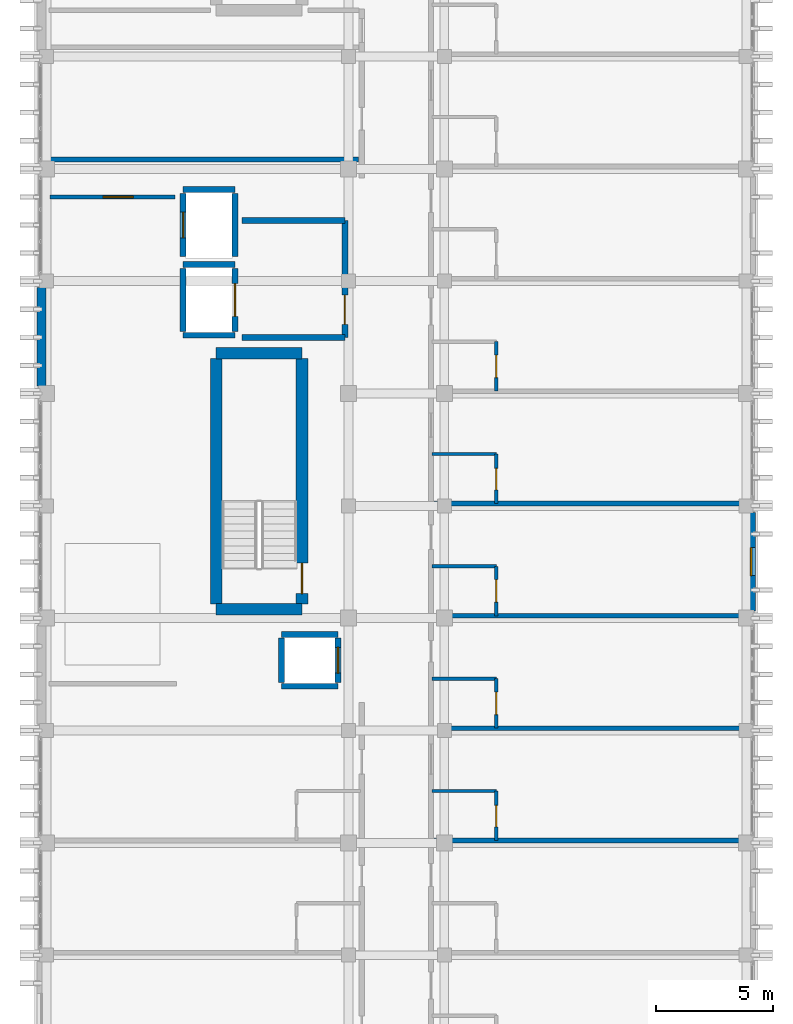
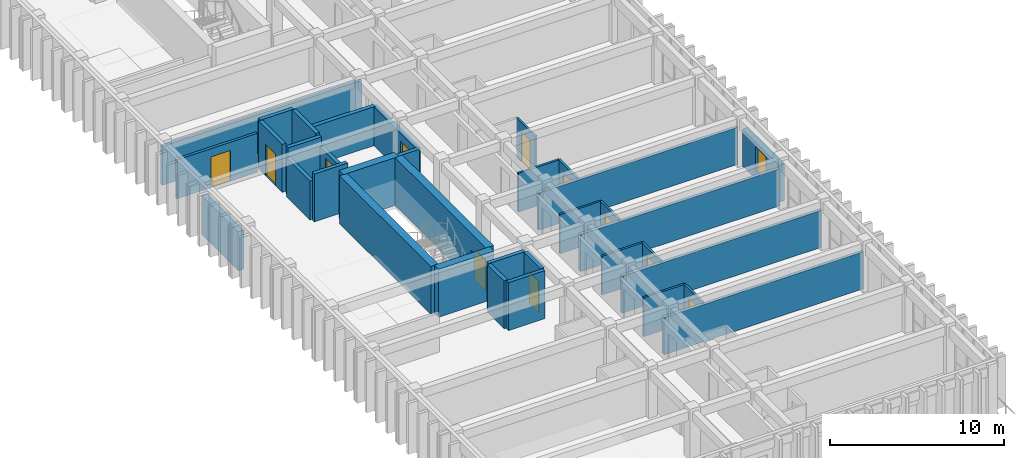
# One storey, part 44 of 53: 35 walls, 11 doors, 1 window, 12 openings.
"""IFC4 building model written with IfcOpenShell, lengths in metres."""

from ifc_helpers import new_model, si_unit, direction, frame, frame_2d, origin, place, context, subcontext, project, spatial, rectangle, extrude, material, layer, layer_set, type_object, element, fill, save


model = new_model("IFC4")

# Units and contexts
model_context = context("Model", 3, precision=1e-05, world=origin(), true_north=direction((0.0, 1.0)))
body_context = subcontext(model_context, "Body", "Model", "MODEL_VIEW")
ifc_project = project(units=[si_unit("LENGTHUNIT", "METRE"), si_unit("AREAUNIT", "SQUARE_METRE"), si_unit("VOLUMEUNIT", "CUBIC_METRE"), si_unit("PLANEANGLEUNIT", "RADIAN"), si_unit("MASSUNIT", "GRAM", prefix="KILO")], contexts=[model_context])

# Site, building, storey
site_placement = place(None, origin())
site = spatial("IfcSite", under=ifc_project, at=site_placement, CompositionType="ELEMENT")
building_placement = place(site_placement, origin())
building = spatial("IfcBuilding", under=site, at=building_placement, Name="Nakhvara Creek Congress Hotel", CompositionType="ELEMENT")
storey_placement = place(building_placement, frame((0.0, 0.0, 35.39990234375)))
storey = spatial("IfcBuildingStorey", under=building, at=storey_placement, Name="L08", CompositionType="ELEMENT", Elevation=35.39990234375)

# Walls
ifc_material_1 = material(Name="Concrete C50/60", Category="concrete")
ifc_layer_1 = layer(ifc_material_1, 0.5)
ifc_layer_set_1 = layer_set([ifc_layer_1], Name="Concrete C50/60")
wall_type_1 = type_object("IfcWallType", Name="W-CORE-500", PredefinedType="SHEAR", material=ifc_layer_set_1)
for number, where, z_axis, x_axis, name in (
    (1, (156.699951171875, 77.179931640625, 0.0), (0.0, 0.0, 1.0), (1.0, 0.0, 0.0), "Core Shear Wall WS01-CWALL-L08-0181"),
    (2, (156.699951171875, 88.1201171875, 0.0), (0.0, 0.0, 1.0), (1.0, 0.0, 0.0), "Core Shear Wall WS01-CWALL-L08-0182"),
):
    element("IfcWall", number, at=place(storey_placement, frame(where, z_axis=z_axis, x_axis=x_axis)), inside=storey, type_object=wall_type_1, Name=name, PredefinedType="SHEAR", context=body_context, shape_type="SweptSolid", body=[
        extrude(rectangle(XDim=3.670166015625, YDim=0.5, at=frame_2d((1.8349609375, 0.0))), origin(), (0.0, 0.0, 1.0), 3.360107421875),
    ])
wall_1_placement = place(storey_placement, frame((156.699951171875, 77.39990234375, 0.0), z_axis=(0.0, 0.0, 1.0), x_axis=(0.0, 1.0, 0.0)))
element("IfcWall", 3, at=wall_1_placement, inside=storey, type_object=wall_type_1, Name="Core Shear Wall WS01-CWALL-L08-0183", PredefinedType="SHEAR", context=body_context, shape_type="SweptSolid", body=[
    extrude(rectangle(XDim=10.5, YDim=0.5, at=frame_2d((5.25, 0.0))), origin(), (0.0, 0.0, 1.0), 3.360107421875),
])

# Wall, opening, door
wall_2_placement = place(storey_placement, frame((160.3701171875, 77.39990234375, 0.0), z_axis=(0.0, 0.0, 1.0), x_axis=(0.0, 1.0, 0.0)))
wall_2 = element("IfcWall", 4, at=wall_2_placement, inside=storey, type_object=wall_type_1, Name="Core Shear Wall WS01-CWALL-L08-0184", PredefinedType="SHEAR", context=body_context, shape_type="SweptSolid", body=[
    extrude(rectangle(XDim=10.5, YDim=0.5, at=frame_2d((5.25, 0.0))), origin(), (0.0, 0.0, 1.0), 3.360107421875),
])
opening_1_placement = place(wall_2_placement, frame((0.449951171875, 0.0, 0.0)))
opening_1 = element("IfcOpeningElement", 5, at=opening_1_placement, cuts=wall_2, Name="Opening FD04", PredefinedType="OPENING", context=body_context, shape_type="SweptSolid", body=[
    extrude(rectangle(XDim=1.300048828125, YDim=2.14990234375, at=frame_2d((0.64990234375, 1.074951171875))), frame((0.0, 0.261962890625, 0.0), z_axis=(0.0, -1.0, 0.0), x_axis=(1.0, 0.0, 0.0)), (0.0, 0.0, 1.0), 0.52392578125),
])
ifc_material_2 = material(Name="Powder-coated steel fire door", Category="steel")
door_type_1 = type_object("IfcDoorType", Name="DT-STAIR-130", OperationType="NOTDEFINED", PredefinedType="DOOR", material=ifc_material_2)
door_1_placement = place(opening_1_placement, frame((1.300048828125, 0.0, 0.0), z_axis=(0.0, 0.0, 1.0), x_axis=(-1.0, 0.0, 0.0)))
door_1 = element("IfcDoor", 6, at=door_1_placement, inside=storey, type_object=door_type_1, Name="Stair Exit Door ST01-L08", OperationType="SINGLE_SWING_LEFT", OverallHeight=2.14990234375, OverallWidth=1.300048828125, PredefinedType="DOOR", context=body_context, shape_type="SweptSolid", body=[
    extrude(rectangle(XDim=1.300048828125, YDim=2.14990234375, at=frame_2d((0.64990234375, 1.074951171875))), frame((0.0, 0.02490234375, 0.0), z_axis=(0.0, -1.0, 0.0), x_axis=(1.0, 0.0, 0.0)), (0.0, 0.0, 1.0), 0.050048828125),
])
fill(opening_1, door_1)

ifc_material_3 = material(Name="Moisture-resistant gypsum board partition")
ifc_layer_2 = layer(ifc_material_3, 0.139892578125)
ifc_layer_set_2 = layer_set([ifc_layer_2], Name="Moisture-resistant gypsum board partition")
wall_type_2 = type_object("IfcWallType", Name="W-ENS-140", PredefinedType="PARTITIONING", material=ifc_layer_set_2)
wall_3_placement = place(storey_placement, frame((168.669921875, 67.300048828125, 0.0), z_axis=(0.0, 0.0, 1.0), x_axis=(0.0, 1.0, 0.0)))
wall_3 = element("IfcWall", 7, at=wall_3_placement, inside=storey, type_object=wall_type_2, Name="Interior Wall WP15-IW-L08-0611", PredefinedType="PARTITIONING", context=body_context, shape_type="SweptSolid", body=[
    extrude(rectangle(XDim=2.115966796875, YDim=0.139892578125, at=frame_2d((1.05810546875, 0.0))), origin(), (0.0, 0.0, 1.0), 2.732177734375),
])
opening_2_placement = place(wall_3_placement, frame((0.5830078125, 0.0, 0.0)))
opening_2 = element("IfcOpeningElement", 8, at=opening_2_placement, cuts=wall_3, Name="Opening ID01", PredefinedType="OPENING", context=body_context, shape_type="SweptSolid", body=[
    extrude(rectangle(XDim=0.919921875, YDim=2.10009765625, at=frame_2d((0.4599609375, 1.050048828125))), frame((0.0, 0.08203125, 0.0), z_axis=(0.0, -1.0, 0.0), x_axis=(1.0, 0.0, 0.0)), (0.0, 0.0, 1.0), 0.163818359375),
])
ifc_material_4 = material(Name="Moisture-resistant walnut timber door", Category="wood")
door_type_2 = type_object("IfcDoorType", Name="DT-ENS-092", OperationType="NOTDEFINED", PredefinedType="DOOR", material=ifc_material_4)
door_2_placement = place(opening_2_placement, frame((0.919921875, 0.0, 0.0), z_axis=(0.0, 0.0, 1.0), x_axis=(-1.0, 0.0, 0.0)))
door_2 = element("IfcDoor", 9, at=door_2_placement, inside=storey, type_object=door_type_2, Name="Interior Door ID01-0453", OperationType="SINGLE_SWING_RIGHT", OverallHeight=2.10009765625, OverallWidth=0.919921875, PredefinedType="DOOR", context=body_context, shape_type="SweptSolid", body=[
    extrude(rectangle(XDim=0.919921875, YDim=2.10009765625, at=frame_2d((0.4599609375, 1.050048828125))), frame((0.0, 0.02490234375, 0.0), z_axis=(0.0, -1.0, 0.0), x_axis=(1.0, 0.0, 0.0)), (0.0, 0.0, 1.0), 0.050048828125),
])
fill(opening_2, door_2)

# Wall
wall_4_placement = place(storey_placement, frame((165.919921875, 69.416015625, 0.0), z_axis=(0.0, 0.0, 1.0), x_axis=(1.0, 0.0, 0.0)))
element("IfcWall", 10, at=wall_4_placement, inside=storey, type_object=wall_type_2, Name="Interior Wall WP15-IW-L08-0612", PredefinedType="PARTITIONING", context=body_context, shape_type="SweptSolid", body=[
    extrude(rectangle(XDim=2.75, YDim=0.139892578125, at=frame_2d((1.375, 0.0))), origin(), (0.0, 0.0, 1.0), 2.732177734375),
])

# Wall, opening, door
wall_5_placement = place(storey_placement, frame((168.669921875, 72.10009765625, 0.0), z_axis=(0.0, 0.0, 1.0), x_axis=(0.0, 1.0, 0.0)))
wall_5 = element("IfcWall", 11, at=wall_5_placement, inside=storey, type_object=wall_type_2, Name="Interior Wall WP15-IW-L08-0614", PredefinedType="PARTITIONING", context=body_context, shape_type="SweptSolid", body=[
    extrude(rectangle(XDim=2.115966796875, YDim=0.139892578125, at=frame_2d((1.05810546875, 0.0))), origin(), (0.0, 0.0, 1.0), 2.732177734375),
])
opening_3_placement = place(wall_5_placement, frame((0.5830078125, 0.0, 0.0)))
opening_3 = element("IfcOpeningElement", 12, at=opening_3_placement, cuts=wall_5, Name="Opening ID02", PredefinedType="OPENING", context=body_context, shape_type="SweptSolid", body=[
    extrude(rectangle(XDim=0.9599609375, YDim=2.1201171875, at=frame_2d((0.47998046875, 1.06005859375))), frame((0.0, 0.08203125, 0.0), z_axis=(0.0, -1.0, 0.0), x_axis=(1.0, 0.0, 0.0)), (0.0, 0.0, 1.0), 0.163818359375),
])
door_type_3 = type_object("IfcDoorType", Name="DT-ENS-096", OperationType="NOTDEFINED", PredefinedType="DOOR", material=ifc_material_4)
door_3_placement = place(opening_3_placement, frame((0.9599609375, 0.0, 0.0), z_axis=(0.0, 0.0, 1.0), x_axis=(-1.0, 0.0, 0.0)))
door_3 = element("IfcDoor", 13, at=door_3_placement, inside=storey, type_object=door_type_3, Name="Interior Door ID02-0455", OperationType="SINGLE_SWING_RIGHT", OverallHeight=2.1201171875, OverallWidth=0.9599609375, PredefinedType="DOOR", context=body_context, shape_type="SweptSolid", body=[
    extrude(rectangle(XDim=0.9599609375, YDim=2.1201171875, at=frame_2d((0.47998046875, 1.06005859375))), frame((0.0, 0.02490234375, 0.0), z_axis=(0.0, -1.0, 0.0), x_axis=(1.0, 0.0, 0.0)), (0.0, 0.0, 1.0), 0.050048828125),
])
fill(opening_3, door_3)

# Wall
wall_6_placement = place(storey_placement, frame((165.919921875, 74.216064453125, 0.0), z_axis=(0.0, 0.0, 1.0), x_axis=(1.0, 0.0, 0.0)))
element("IfcWall", 14, at=wall_6_placement, inside=storey, type_object=wall_type_2, Name="Interior Wall WP15-IW-L08-0615", PredefinedType="PARTITIONING", context=body_context, shape_type="SweptSolid", body=[
    extrude(rectangle(XDim=2.75, YDim=0.139892578125, at=frame_2d((1.375, 0.0))), origin(), (0.0, 0.0, 1.0), 2.732177734375),
])

# Wall, opening, door
wall_7_placement = place(storey_placement, frame((168.669921875, 76.89990234375, 0.0), z_axis=(0.0, 0.0, 1.0), x_axis=(0.0, 1.0, 0.0)))
wall_7 = element("IfcWall", 15, at=wall_7_placement, inside=storey, type_object=wall_type_2, Name="Interior Wall WP15-IW-L08-0617", PredefinedType="PARTITIONING", context=body_context, shape_type="SweptSolid", body=[
    extrude(rectangle(XDim=2.1162109375, YDim=0.139892578125, at=frame_2d((1.05810546875, 0.0))), origin(), (0.0, 0.0, 1.0), 2.732177734375),
])
opening_4_placement = place(wall_7_placement, frame((0.5830078125, 0.0, 0.0)))
opening_4 = element("IfcOpeningElement", 16, at=opening_4_placement, cuts=wall_7, Name="Opening ID02", PredefinedType="OPENING", context=body_context, shape_type="SweptSolid", body=[
    extrude(rectangle(XDim=0.9599609375, YDim=2.1201171875, at=frame_2d((0.47998046875, 1.06005859375))), frame((0.0, 0.08203125, 0.0), z_axis=(0.0, -1.0, 0.0), x_axis=(1.0, 0.0, 0.0)), (0.0, 0.0, 1.0), 0.163818359375),
])
door_4_placement = place(opening_4_placement, frame((0.9599609375, 0.0, 0.0), z_axis=(0.0, 0.0, 1.0), x_axis=(-1.0, 0.0, 0.0)))
door_4 = element("IfcDoor", 17, at=door_4_placement, inside=storey, type_object=door_type_3, Name="Interior Door ID02-0457", OperationType="SINGLE_SWING_RIGHT", OverallHeight=2.1201171875, OverallWidth=0.9599609375, PredefinedType="DOOR", context=body_context, shape_type="SweptSolid", body=[
    extrude(rectangle(XDim=0.9599609375, YDim=2.1201171875, at=frame_2d((0.47998046875, 1.06005859375))), frame((0.0, 0.02490234375, 0.0), z_axis=(0.0, -1.0, 0.0), x_axis=(1.0, 0.0, 0.0)), (0.0, 0.0, 1.0), 0.050048828125),
])
fill(opening_4, door_4)

# Wall
wall_8_placement = place(storey_placement, frame((165.919921875, 79.01611328125, 0.0), z_axis=(0.0, 0.0, 1.0), x_axis=(1.0, 0.0, 0.0)))
element("IfcWall", 18, at=wall_8_placement, inside=storey, type_object=wall_type_2, Name="Interior Wall WP15-IW-L08-0618", PredefinedType="PARTITIONING", context=body_context, shape_type="SweptSolid", body=[
    extrude(rectangle(XDim=2.75, YDim=0.139892578125, at=frame_2d((1.375, 0.0))), origin(), (0.0, 0.0, 1.0), 2.732177734375),
])

# Wall, opening, door
wall_9_placement = place(storey_placement, frame((168.669921875, 81.699951171875, 0.0), z_axis=(0.0, 0.0, 1.0), x_axis=(0.0, 1.0, 0.0)))
wall_9 = element("IfcWall", 19, at=wall_9_placement, inside=storey, type_object=wall_type_2, Name="Interior Wall WP15-IW-L08-0620", PredefinedType="PARTITIONING", context=body_context, shape_type="SweptSolid", body=[
    extrude(rectangle(XDim=2.115966796875, YDim=0.139892578125, at=frame_2d((1.05810546875, 0.0))), origin(), (0.0, 0.0, 1.0), 2.732177734375),
])
opening_5_placement = place(wall_9_placement, frame((0.5830078125, 0.0, 0.0)))
opening_5 = element("IfcOpeningElement", 20, at=opening_5_placement, cuts=wall_9, Name="Opening ID01", PredefinedType="OPENING", context=body_context, shape_type="SweptSolid", body=[
    extrude(rectangle(XDim=0.919921875, YDim=2.10009765625, at=frame_2d((0.4599609375, 1.050048828125))), frame((0.0, 0.08203125, 0.0), z_axis=(0.0, -1.0, 0.0), x_axis=(1.0, 0.0, 0.0)), (0.0, 0.0, 1.0), 0.163818359375),
])
door_5_placement = place(opening_5_placement, frame((0.919921875, 0.0, 0.0), z_axis=(0.0, 0.0, 1.0), x_axis=(-1.0, 0.0, 0.0)))
door_5 = element("IfcDoor", 21, at=door_5_placement, inside=storey, type_object=door_type_2, Name="Interior Door ID01-0459", OperationType="SINGLE_SWING_RIGHT", OverallHeight=2.10009765625, OverallWidth=0.919921875, PredefinedType="DOOR", context=body_context, shape_type="SweptSolid", body=[
    extrude(rectangle(XDim=0.919921875, YDim=2.10009765625, at=frame_2d((0.4599609375, 1.050048828125))), frame((0.0, 0.02490234375, 0.0), z_axis=(0.0, -1.0, 0.0), x_axis=(1.0, 0.0, 0.0)), (0.0, 0.0, 1.0), 0.050048828125),
])
fill(opening_5, door_5)

# Wall
wall_10_placement = place(storey_placement, frame((165.919921875, 83.81591796875, 0.0), z_axis=(0.0, 0.0, 1.0), x_axis=(1.0, 0.0, 0.0)))
element("IfcWall", 22, at=wall_10_placement, inside=storey, type_object=wall_type_2, Name="Interior Wall WP15-IW-L08-0621", PredefinedType="PARTITIONING", context=body_context, shape_type="SweptSolid", body=[
    extrude(rectangle(XDim=2.75, YDim=0.139892578125, at=frame_2d((1.375, 0.0))), origin(), (0.0, 0.0, 1.0), 2.732177734375),
])

# Wall, opening, door
wall_11_placement = place(storey_placement, frame((168.669921875, 86.5, 0.0), z_axis=(0.0, 0.0, 1.0), x_axis=(0.0, 1.0, 0.0)))
wall_11 = element("IfcWall", 23, at=wall_11_placement, inside=storey, type_object=wall_type_2, Name="Interior Wall WP15-IW-L08-0623", PredefinedType="PARTITIONING", context=body_context, shape_type="SweptSolid", body=[
    extrude(rectangle(XDim=2.115966796875, YDim=0.139892578125, at=frame_2d((1.05810546875, 0.0))), origin(), (0.0, 0.0, 1.0), 2.732177734375),
])
opening_6_placement = place(wall_11_placement, frame((0.5830078125, 0.0, 0.0)))
opening_6 = element("IfcOpeningElement", 24, at=opening_6_placement, cuts=wall_11, Name="Opening ID02", PredefinedType="OPENING", context=body_context, shape_type="SweptSolid", body=[
    extrude(rectangle(XDim=0.9599609375, YDim=2.1201171875, at=frame_2d((0.47998046875, 1.06005859375))), frame((0.0, 0.08203125, 0.0), z_axis=(0.0, -1.0, 0.0), x_axis=(1.0, 0.0, 0.0)), (0.0, 0.0, 1.0), 0.163818359375),
])
door_6_placement = place(opening_6_placement, frame((0.9599609375, 0.0, 0.0), z_axis=(0.0, 0.0, 1.0), x_axis=(-1.0, 0.0, 0.0)))
door_6 = element("IfcDoor", 25, at=door_6_placement, inside=storey, type_object=door_type_3, Name="Interior Door ID02-0461", OperationType="SINGLE_SWING_RIGHT", OverallHeight=2.1201171875, OverallWidth=0.9599609375, PredefinedType="DOOR", context=body_context, shape_type="SweptSolid", body=[
    extrude(rectangle(XDim=0.9599609375, YDim=2.1201171875, at=frame_2d((0.47998046875, 1.06005859375))), frame((0.0, 0.02490234375, 0.0), z_axis=(0.0, -1.0, 0.0), x_axis=(1.0, 0.0, 0.0)), (0.0, 0.0, 1.0), 0.050048828125),
])
fill(opening_6, door_6)

# Wall, opening, window
ifc_material_5 = material(Name="Honed pale Omani limestone cladding", Category="masonry")
ifc_layer_3 = layer(ifc_material_5, 0.050048828125)
ifc_material_6 = material(Name="Mineral wool thermal insulation")
ifc_layer_4 = layer(ifc_material_6, 0.110107421875)
ifc_material_7 = material(Name="Precast concrete C40/50", Category="concrete")
ifc_layer_5 = layer(ifc_material_7, 0.219970703125)
ifc_layer_set_3 = layer_set([ifc_layer_3, ifc_layer_4, ifc_layer_5], Name="Precast concrete C40/50")
wall_type_3 = type_object("IfcWallType", Name="W-EXT-380", PredefinedType="SOLIDWALL", material=ifc_layer_set_3)
wall_12_placement = place(storey_placement, frame((179.56005859375, 81.324951171875, 0.0), z_axis=(0.0, 0.0, 1.0), x_axis=(0.0, -1.0, 0.0)))
wall_12 = element("IfcWall", 26, at=wall_12_placement, inside=storey, type_object=wall_type_3, Name="Exterior Wall WE03-EW-L08-0193", PredefinedType="SOLIDWALL", context=body_context, shape_type="SweptSolid", body=[
    extrude(rectangle(XDim=4.2099609375, YDim=0.3798828125, at=frame_2d((2.10498046875, 0.0))), origin(), (0.0, 0.0, 1.0), 2.60205078125),
])
opening_7_placement = place(wall_12_placement, frame((1.5048828125, 0.0, 0.550048828125)))
opening_7 = element("IfcOpeningElement", 27, at=opening_7_placement, cuts=wall_12, Name="Opening WN0211", PredefinedType="OPENING", context=body_context, shape_type="SweptSolid", body=[
    extrude(rectangle(XDim=1.199951171875, YDim=1.719970703125, at=frame_2d((0.60009765625, 0.85986328125))), frame((0.0, 0.201904296875, 0.0), z_axis=(0.0, -1.0, 0.0), x_axis=(1.0, 0.0, 0.0)), (0.0, 0.0, 1.0), 0.40380859375),
])
ifc_material_8 = material(Name="Thermally broken bronze-anodised aluminium and double-silver low-E insulated glass", Category="aluminium")
window_type = type_object("IfcWindowType", Name="WN-LAN-120X220", PartitioningType="SINGLE_PANEL", PredefinedType="WINDOW", material=ifc_material_8)
window_placement = place(opening_7_placement, origin())
window = element("IfcWindow", 28, at=window_placement, inside=storey, type_object=window_type, Name="Facade Window WN0211", OverallHeight=1.719970703125, OverallWidth=1.199951171875, PartitioningType="SINGLE_PANEL", PredefinedType="WINDOW", context=body_context, shape_type="SweptSolid", body=[
    extrude(rectangle(XDim=1.199951171875, YDim=1.719970703125, at=frame_2d((0.60009765625, 0.85986328125))), frame((0.0, 0.030029296875, 0.0), z_axis=(0.0, -1.0, 0.0), x_axis=(1.0, 0.0, 0.0)), (0.0, 0.0, 1.0), 0.06005859375),
])
fill(opening_7, window)

# Wall
wall_13_placement = place(storey_placement, frame((149.239990234375, 86.715087890625, 0.0), z_axis=(0.0, 0.0, 1.0), x_axis=(0.0, 1.0, 0.0)))
element("IfcWall", 29, at=wall_13_placement, inside=storey, type_object=wall_type_3, Name="Exterior Wall WE03-EW-L08-0194", PredefinedType="SOLIDWALL", context=body_context, shape_type="SweptSolid", body=[
    extrude(rectangle(XDim=4.2099609375, YDim=0.3798828125, at=frame_2d((2.10498046875, 0.0))), origin(), (0.0, 0.0, 1.0), 2.732177734375),
])

# Wall, opening, door
ifc_material_9 = material(Name="Concrete C40/50", Category="concrete")
ifc_layer_6 = layer(ifc_material_9, 0.260009765625)
ifc_layer_set_4 = layer_set([ifc_layer_6], Name="Concrete C40/50")
wall_type_4 = type_object("IfcWallType", Name="W-FFL-260", PredefinedType="SOLIDWALL", material=ifc_layer_set_4)
wall_14_placement = place(storey_placement, frame((162.199951171875, 88.800048828125, 0.0), z_axis=(0.0, 0.0, 1.0), x_axis=(0.0, 1.0, 0.0)))
wall_14 = element("IfcWall", 30, at=wall_14_placement, inside=storey, type_object=wall_type_4, Name="Core Shear Wall WI03-CWALL-L08-0196", PredefinedType="SOLIDWALL", context=body_context, shape_type="SweptSolid", body=[
    extrude(rectangle(XDim=5.0, YDim=0.260009765625, at=frame_2d((2.5, 0.0))), origin(), (0.0, 0.0, 1.0), 2.732177734375),
])
opening_8_placement = place(wall_14_placement, frame((0.550048828125, 0.0, 0.0)))
opening_8 = element("IfcOpeningElement", 31, at=opening_8_placement, cuts=wall_14, Name="Opening FD05", PredefinedType="OPENING", context=body_context, shape_type="SweptSolid", body=[
    extrude(rectangle(XDim=1.25, YDim=2.14990234375, at=frame_2d((0.625, 1.074951171875))), frame((0.0, 0.14208984375, 0.0), z_axis=(0.0, -1.0, 0.0), x_axis=(1.0, 0.0, 0.0)), (0.0, 0.0, 1.0), 0.283935546875),
])
ifc_material_10 = material(Name="Hardwood-veneered steel fire door", Category="steel")
door_type_4 = type_object("IfcDoorType", Name="DT-FFL-125", OperationType="NOTDEFINED", PredefinedType="DOOR", material=ifc_material_10)
door_7_placement = place(opening_8_placement, origin())
door_7 = element("IfcDoor", 32, at=door_7_placement, inside=storey, type_object=door_type_4, Name="Firefighting Lobby Door C1-L08", OperationType="DOUBLE_DOOR_SINGLE_SWING", OverallHeight=2.14990234375, OverallWidth=1.25, PredefinedType="DOOR", context=body_context, shape_type="SweptSolid", body=[
    extrude(rectangle(XDim=1.25, YDim=2.14990234375, at=frame_2d((0.625, 1.074951171875))), frame((0.0, 0.02490234375, 0.0), z_axis=(0.0, -1.0, 0.0), x_axis=(1.0, 0.0, 0.0)), (0.0, 0.0, 1.0), 0.050048828125),
])
fill(opening_8, door_7)

# Walls
for number, where, z_axis, x_axis, name in (
    (33, (157.800048828125, 88.800048828125, 0.0), (0.0, 0.0, 1.0), (1.0, 0.0, 0.0), "Core Shear Wall WI03-CWALL-L08-0197"),
    (34, (157.800048828125, 93.800048828125, 0.0), (0.0, 0.0, 1.0), (1.0, 0.0, 0.0), "Core Shear Wall WI03-CWALL-L08-0198"),
):
    element("IfcWall", number, at=place(storey_placement, frame(where, z_axis=z_axis, x_axis=x_axis)), inside=storey, type_object=wall_type_4, Name=name, PredefinedType="SOLIDWALL", context=body_context, shape_type="SweptSolid", body=[
        extrude(rectangle(XDim=4.39990234375, YDim=0.260009765625, at=frame_2d((2.199951171875, 0.0))), origin(), (0.0, 0.0, 1.0), 2.732177734375),
    ])

# Wall, opening, door
ifc_material_11 = material(Name="Gypsum acoustic board on steel stud", Category="steel")
ifc_layer_7 = layer(ifc_material_11, 0.179931640625)
ifc_layer_set_5 = layer_set([ifc_layer_7], Name="Gypsum acoustic board on steel stud")
wall_type_5 = type_object("IfcWallType", Name="W-MEET-180", PredefinedType="PARTITIONING", material=ifc_layer_set_5)
wall_15_placement = place(storey_placement, frame((149.60009765625, 94.800048828125, 0.0), z_axis=(0.0, 0.0, 1.0), x_axis=(1.0, 0.0, 0.0)))
wall_15 = element("IfcWall", 35, at=wall_15_placement, inside=storey, type_object=wall_type_5, Name="Interior Wall WP13-IW-L08-0594", PredefinedType="PARTITIONING", context=body_context, shape_type="SweptSolid", body=[
    extrude(rectangle(XDim=5.349853515625, YDim=0.179931640625, at=frame_2d((2.6748046875, 0.0))), origin(), (0.0, 0.0, 1.0), 2.732177734375),
])
opening_9_placement = place(wall_15_placement, frame((2.27490234375, 0.0, 0.0)))
opening_9 = element("IfcOpeningElement", 36, at=opening_9_placement, cuts=wall_15, Name="Opening ID07", PredefinedType="OPENING", context=body_context, shape_type="SweptSolid", body=[
    extrude(rectangle(XDim=1.280029296875, YDim=2.159912109375, at=frame_2d((0.64013671875, 1.080078125))), frame((0.0, 0.10205078125, 0.0), z_axis=(0.0, -1.0, 0.0), x_axis=(1.0, 0.0, 0.0)), (0.0, 0.0, 1.0), 0.203857421875),
])
ifc_material_12 = material(Name="Brushed stainless-clad BOH door")
door_type_5 = type_object("IfcDoorType", Name="DT-BOH-128", OperationType="NOTDEFINED", PredefinedType="DOOR", material=ifc_material_12)
door_8_placement = place(opening_9_placement, origin())
door_8 = element("IfcDoor", 37, at=door_8_placement, inside=storey, type_object=door_type_5, Name="Interior Door ID07-0441", OperationType="SINGLE_SWING_RIGHT", OverallHeight=2.159912109375, OverallWidth=1.280029296875, PredefinedType="DOOR", context=body_context, shape_type="SweptSolid", body=[
    extrude(rectangle(XDim=1.280029296875, YDim=2.159912109375, at=frame_2d((0.64013671875, 1.080078125))), frame((0.0, 0.02490234375, 0.0), z_axis=(0.0, -1.0, 0.0), x_axis=(1.0, 0.0, 0.0)), (0.0, 0.0, 1.0), 0.050048828125),
])
fill(opening_9, door_8)

# Walls
ifc_layer_8 = layer(ifc_material_11, 0.199951171875)
ifc_layer_set_6 = layer_set([ifc_layer_8], Name="Gypsum acoustic board on steel stud")
wall_type_6 = type_object("IfcWallType", Name="W-PART-200", PredefinedType="PARTITIONING", material=ifc_layer_set_6)
wall_16_placement = place(storey_placement, frame((149.550048828125, 96.39990234375, 0.0), z_axis=(0.0, 0.0, 1.0), x_axis=(1.0, 0.0, 0.0)))
element("IfcWall", 38, at=wall_16_placement, inside=storey, type_object=wall_type_6, Name="Interior Wall WP12-IW-L08-0589", PredefinedType="PARTITIONING", context=body_context, shape_type="SweptSolid", body=[
    extrude(rectangle(XDim=13.22998046875, YDim=0.199951171875, at=frame_2d((6.614990234375, 0.0))), origin(), (0.0, 0.0, 1.0), 2.732177734375),
])
for number, where, z_axis, x_axis, name in (
    (39, (166.02001953125, 67.300048828125, 0.0), (0.0, 0.0, 1.0), (1.0, 0.0, 0.0), "Interior Wall WP12-IW-L08-0610"),
    (40, (166.02001953125, 72.10009765625, 0.0), (0.0, 0.0, 1.0), (1.0, 0.0, 0.0), "Interior Wall WP12-IW-L08-0613"),
    (41, (166.02001953125, 76.89990234375, 0.0), (0.0, 0.0, 1.0), (1.0, 0.0, 0.0), "Interior Wall WP12-IW-L08-0616"),
    (42, (166.02001953125, 81.699951171875, 0.0), (0.0, 0.0, 1.0), (1.0, 0.0, 0.0), "Interior Wall WP12-IW-L08-0619"),
):
    element("IfcWall", number, at=place(storey_placement, frame(where, z_axis=z_axis, x_axis=x_axis)), inside=storey, type_object=wall_type_6, Name=name, PredefinedType="PARTITIONING", context=body_context, shape_type="SweptSolid", body=[
        extrude(rectangle(XDim=13.22998046875, YDim=0.199951171875, at=frame_2d((6.614990234375, 0.0))), origin(), (0.0, 0.0, 1.0), 2.60205078125),
    ])
ifc_layer_9 = layer(ifc_material_9, 0.25)
ifc_layer_set_7 = layer_set([ifc_layer_9], Name="Concrete C40/50")
wall_type_7 = type_object("IfcWallType", Name="W-SHAFT-250", PredefinedType="SOLIDWALL", material=ifc_layer_set_7)
for number, where, z_axis, x_axis, name in (
    (43, (155.2900390625, 88.889892578125, 0.0), (0.0, 0.0, 1.0), (1.0, 0.0, 0.0), "Core Shear Wall WI02-CWALL-L08-0185"),
    (44, (155.2900390625, 91.909912109375, 0.0), (0.0, 0.0, 1.0), (1.0, 0.0, 0.0), "Core Shear Wall WI02-CWALL-L08-0186"),
):
    element("IfcWall", number, at=place(storey_placement, frame(where, z_axis=z_axis, x_axis=x_axis)), inside=storey, type_object=wall_type_7, Name=name, PredefinedType="SOLIDWALL", context=body_context, shape_type="SweptSolid", body=[
        extrude(rectangle(XDim=2.219970703125, YDim=0.25, at=frame_2d((1.10986328125, 0.0))), origin(), (0.0, 0.0, 1.0), 3.360107421875),
    ])
wall_17_placement = place(storey_placement, frame((155.2900390625, 89.050048828125, 0.0), z_axis=(0.0, 0.0, 1.0), x_axis=(0.0, 1.0, 0.0)))
element("IfcWall", 45, at=wall_17_placement, inside=storey, type_object=wall_type_7, Name="Core Shear Wall WI02-CWALL-L08-0187", PredefinedType="SOLIDWALL", context=body_context, shape_type="SweptSolid", body=[
    extrude(rectangle(XDim=2.699951171875, YDim=0.25, at=frame_2d((1.35009765625, 0.0))), origin(), (0.0, 0.0, 1.0), 2.732177734375),
])

# Wall, opening, door
wall_18_placement = place(storey_placement, frame((157.510009765625, 89.050048828125, 0.0), z_axis=(0.0, 0.0, 1.0), x_axis=(0.0, 1.0, 0.0)))
wall_18 = element("IfcWall", 46, at=wall_18_placement, inside=storey, type_object=wall_type_7, Name="Core Shear Wall WI02-CWALL-L08-0188", PredefinedType="SOLIDWALL", context=body_context, shape_type="SweptSolid", body=[
    extrude(rectangle(XDim=2.699951171875, YDim=0.25, at=frame_2d((1.35009765625, 0.0))), origin(), (0.0, 0.0, 1.0), 2.732177734375),
])
opening_10_placement = place(wall_18_placement, frame((0.64990234375, 0.0, 0.0)))
opening_10 = element("IfcOpeningElement", 47, at=opening_10_placement, cuts=wall_18, Name="Opening LD02", PredefinedType="OPENING", context=body_context, shape_type="SweptSolid", body=[
    extrude(rectangle(XDim=1.39990234375, YDim=2.300048828125, at=frame_2d((0.699951171875, 1.14990234375))), frame((0.0, 0.136962890625, 0.0), z_axis=(0.0, -1.0, 0.0), x_axis=(1.0, 0.0, 0.0)), (0.0, 0.0, 1.0), 0.27392578125),
])
ifc_material_13 = material(Name="Brushed stainless steel heavy goods landing door", Category="steel")
door_type_6 = type_object("IfcDoorType", Name="DT-LIFT-140", OperationType="DOUBLE_DOOR_SLIDING", PredefinedType="DOOR", material=ifc_material_13)
door_9_placement = place(opening_10_placement, origin())
door_9 = element("IfcDoor", 48, at=door_9_placement, inside=storey, type_object=door_type_6, Name="Landing Door FFL1-L08", OperationType="SLIDING_TO_LEFT", OverallHeight=2.300048828125, OverallWidth=1.39990234375, PredefinedType="DOOR", context=body_context, shape_type="SweptSolid", body=[
    extrude(rectangle(XDim=1.39990234375, YDim=2.300048828125, at=frame_2d((0.699951171875, 1.14990234375))), frame((0.0, 0.02490234375, 0.0), z_axis=(0.0, -1.0, 0.0), x_axis=(1.0, 0.0, 0.0)), (0.0, 0.0, 1.0), 0.050048828125),
])
fill(opening_10, door_9)

# Wall
wall_19_placement = place(storey_placement, frame((155.2900390625, 95.110107421875, 0.0), z_axis=(0.0, 0.0, 1.0), x_axis=(1.0, 0.0, 0.0)))
element("IfcWall", 49, at=wall_19_placement, inside=storey, type_object=wall_type_7, Name="Core Shear Wall WI02-CWALL-L08-0189", PredefinedType="SOLIDWALL", context=body_context, shape_type="SweptSolid", body=[
    extrude(rectangle(XDim=2.219970703125, YDim=0.25, at=frame_2d((1.10986328125, 0.0))), origin(), (0.0, 0.0, 1.0), 3.360107421875),
])

# Wall, opening, door
wall_20_placement = place(storey_placement, frame((155.2900390625, 92.25, 0.0), z_axis=(0.0, 0.0, 1.0), x_axis=(0.0, 1.0, 0.0)))
wall_20 = element("IfcWall", 50, at=wall_20_placement, inside=storey, type_object=wall_type_7, Name="Core Shear Wall WI02-CWALL-L08-0190", PredefinedType="SOLIDWALL", context=body_context, shape_type="SweptSolid", body=[
    extrude(rectangle(XDim=2.699951171875, YDim=0.25, at=frame_2d((1.35009765625, 0.0))), origin(), (0.0, 0.0, 1.0), 3.360107421875),
])
opening_11_placement = place(wall_20_placement, frame((0.800048828125, 0.0, 0.0)))
opening_11 = element("IfcOpeningElement", 51, at=opening_11_placement, cuts=wall_20, Name="Opening LD01", PredefinedType="OPENING", context=body_context, shape_type="SweptSolid", body=[
    extrude(rectangle(XDim=1.10009765625, YDim=2.199951171875, at=frame_2d((0.550048828125, 1.10009765625))), frame((0.0, 0.136962890625, 0.0), z_axis=(0.0, -1.0, 0.0), x_axis=(1.0, 0.0, 0.0)), (0.0, 0.0, 1.0), 0.27392578125),
])
ifc_material_14 = material(Name="Brushed stainless steel sliding landing door", Category="steel")
door_type_7 = type_object("IfcDoorType", Name="DT-LIFT-110", OperationType="DOUBLE_DOOR_SLIDING", PredefinedType="DOOR", material=ifc_material_14)
door_10_placement = place(opening_11_placement, origin())
door_10 = element("IfcDoor", 52, at=door_10_placement, inside=storey, type_object=door_type_7, Name="Landing Door SL01-L08", OperationType="SLIDING_TO_LEFT", OverallHeight=2.199951171875, OverallWidth=1.10009765625, PredefinedType="DOOR", context=body_context, shape_type="SweptSolid", body=[
    extrude(rectangle(XDim=1.10009765625, YDim=2.199951171875, at=frame_2d((0.550048828125, 1.10009765625))), frame((0.0, 0.02490234375, 0.0), z_axis=(0.0, -1.0, 0.0), x_axis=(1.0, 0.0, 0.0)), (0.0, 0.0, 1.0), 0.050048828125),
])
fill(opening_11, door_10)

# Walls
wall_21_placement = place(storey_placement, frame((157.510009765625, 92.25, 0.0), z_axis=(0.0, 0.0, 1.0), x_axis=(0.0, 1.0, 0.0)))
element("IfcWall", 53, at=wall_21_placement, inside=storey, type_object=wall_type_7, Name="Core Shear Wall WI02-CWALL-L08-0191", PredefinedType="SOLIDWALL", context=body_context, shape_type="SweptSolid", body=[
    extrude(rectangle(XDim=2.699951171875, YDim=0.25, at=frame_2d((1.35009765625, 0.0))), origin(), (0.0, 0.0, 1.0), 3.360107421875),
])
for number, where, z_axis, x_axis, name in (
    (54, (159.489990234375, 73.889892578125, 0.0), (0.0, 0.0, 1.0), (1.0, 0.0, 0.0), "Core Shear Wall WI02-CWALL-L08-0192"),
    (55, (159.489990234375, 76.110107421875, 0.0), (0.0, 0.0, 1.0), (1.0, 0.0, 0.0), "Core Shear Wall WI02-CWALL-L08-0193"),
):
    element("IfcWall", number, at=place(storey_placement, frame(where, z_axis=z_axis, x_axis=x_axis)), inside=storey, type_object=wall_type_7, Name=name, PredefinedType="SOLIDWALL", context=body_context, shape_type="SweptSolid", body=[
        extrude(rectangle(XDim=2.419921875, YDim=0.25, at=frame_2d((1.2099609375, 0.0))), origin(), (0.0, 0.0, 1.0), 3.360107421875),
    ])
wall_22_placement = place(storey_placement, frame((159.489990234375, 74.050048828125, 0.0), z_axis=(0.0, 0.0, 1.0), x_axis=(0.0, 1.0, 0.0)))
element("IfcWall", 56, at=wall_22_placement, inside=storey, type_object=wall_type_7, Name="Core Shear Wall WI02-CWALL-L08-0194", PredefinedType="SOLIDWALL", context=body_context, shape_type="SweptSolid", body=[
    extrude(rectangle(XDim=1.89990234375, YDim=0.25, at=frame_2d((0.949951171875, 0.0))), origin(), (0.0, 0.0, 1.0), 3.360107421875),
])

# Wall, opening, door
wall_23_placement = place(storey_placement, frame((161.909912109375, 74.050048828125, 0.0), z_axis=(0.0, 0.0, 1.0), x_axis=(0.0, 1.0, 0.0)))
wall_23 = element("IfcWall", 57, at=wall_23_placement, inside=storey, type_object=wall_type_7, Name="Core Shear Wall WI02-CWALL-L08-0195", PredefinedType="SOLIDWALL", context=body_context, shape_type="SweptSolid", body=[
    extrude(rectangle(XDim=1.89990234375, YDim=0.25, at=frame_2d((0.949951171875, 0.0))), origin(), (0.0, 0.0, 1.0), 3.360107421875),
])
opening_12_placement = place(wall_23_placement, frame((0.39990234375, 0.0, 0.0)))
opening_12 = element("IfcOpeningElement", 58, at=opening_12_placement, cuts=wall_23, Name="Opening LD01", PredefinedType="OPENING", context=body_context, shape_type="SweptSolid", body=[
    extrude(rectangle(XDim=1.10009765625, YDim=2.199951171875, at=frame_2d((0.550048828125, 1.10009765625))), frame((0.0, 0.136962890625, 0.0), z_axis=(0.0, -1.0, 0.0), x_axis=(1.0, 0.0, 0.0)), (0.0, 0.0, 1.0), 0.27392578125),
])
door_11_placement = place(opening_12_placement, origin())
door_11 = element("IfcDoor", 59, at=door_11_placement, inside=storey, type_object=door_type_7, Name="Landing Door PL02-L08", OperationType="SLIDING_TO_LEFT", OverallHeight=2.199951171875, OverallWidth=1.10009765625, PredefinedType="DOOR", context=body_context, shape_type="SweptSolid", body=[
    extrude(rectangle(XDim=1.10009765625, YDim=2.199951171875, at=frame_2d((0.550048828125, 1.10009765625))), frame((0.0, 0.02490234375, 0.0), z_axis=(0.0, -1.0, 0.0), x_axis=(1.0, 0.0, 0.0)), (0.0, 0.0, 1.0), 0.050048828125),
])
fill(opening_12, door_11)

save(model, "model.ifc")
